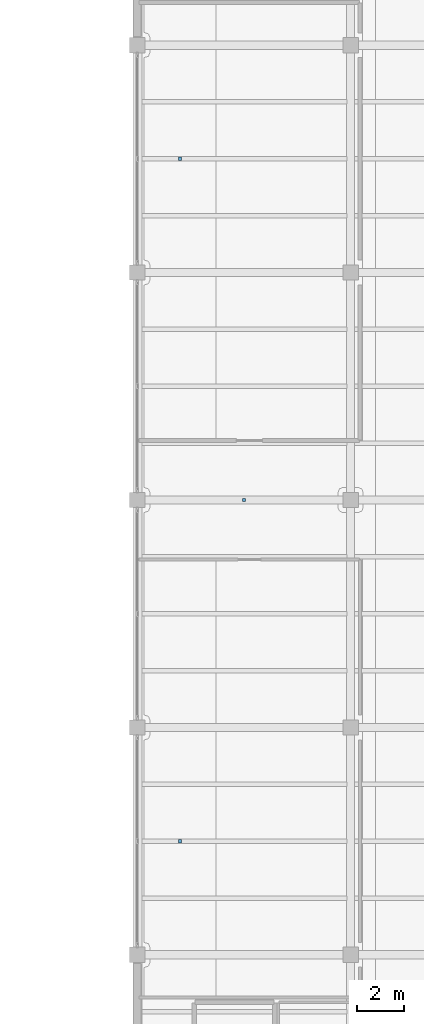
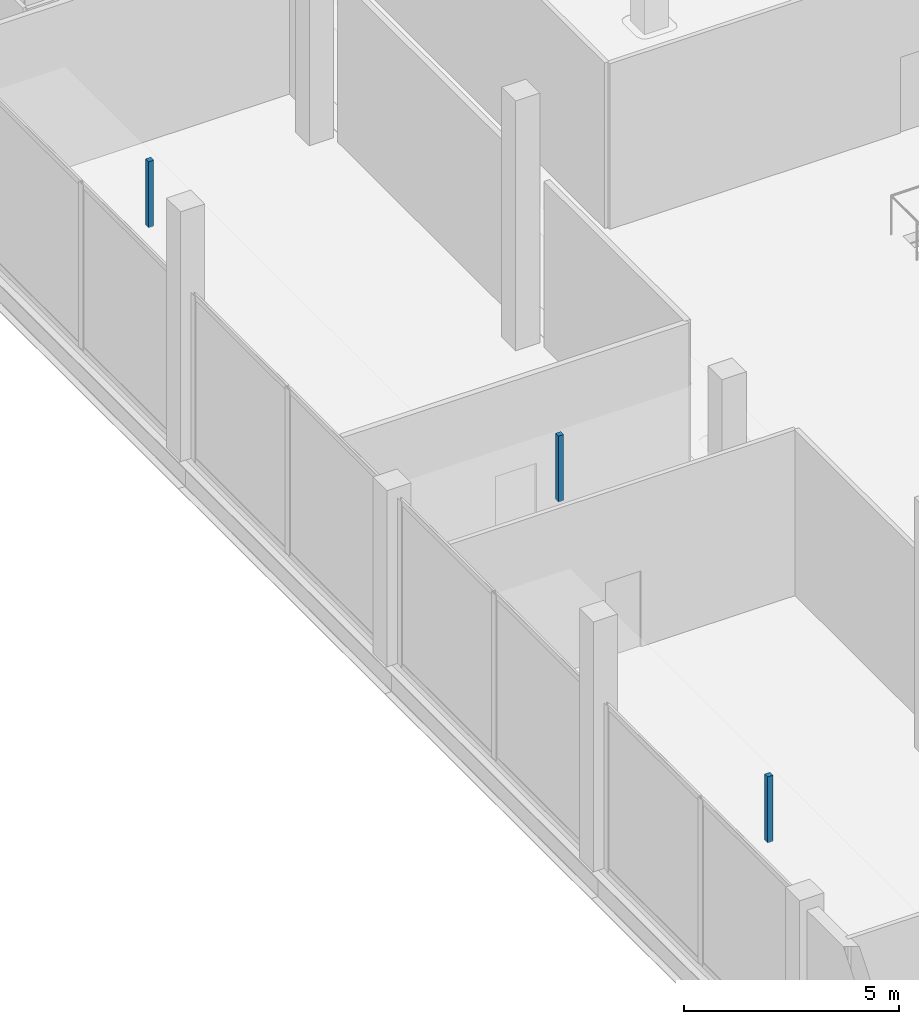
# One storey, part 36 of 43: 3 discrete accessories.
"""IFC4 building model written with IfcOpenShell, lengths in metres."""

from ifc_helpers import new_model, si_unit, direction, frame, origin, origin_2d, place, context, subcontext, project, spatial, rectangle, extrude, material, type_object, element, save


model = new_model("IFC4")

# Units and contexts
model_context = context("Model", 3, precision=1e-05, world=origin(), true_north=direction((0.0, 1.0)))
body_context = subcontext(model_context, "Body", "Model", "MODEL_VIEW")
ifc_project = project(units=[si_unit("LENGTHUNIT", "METRE"), si_unit("AREAUNIT", "SQUARE_METRE"), si_unit("VOLUMEUNIT", "CUBIC_METRE"), si_unit("PLANEANGLEUNIT", "RADIAN"), si_unit("MASSUNIT", "GRAM", prefix="KILO")], contexts=[model_context])

# Site, building, storey
site_placement = place(None, origin())
site = spatial("IfcSite", under=ifc_project, at=site_placement, CompositionType="ELEMENT")
building_placement = place(site_placement, origin())
building = spatial("IfcBuilding", under=site, at=building_placement, Name="Qorvath Tower", CompositionType="ELEMENT")
storey_placement = place(building_placement, frame((0.0, 0.0, 22.0)))
storey = spatial("IfcBuildingStorey", under=building, at=storey_placement, Name="L04", CompositionType="ELEMENT", Elevation=22.0)

# Discrete accessories
ifc_material = material(Name="Galvanised steel bracket", Category="steel")
discrete_accessory_type = type_object("IfcDiscreteAccessoryType", Name="DA-BRACKET", PredefinedType="BRACKET", material=ifc_material)
for number, where, z_axis, x_axis, name in (
    (1, (36.89990234375, 0.0, 2.8603515625), (0.0, 0.0, 1.0), (1.0, 0.0, 0.0), "Acoustic Ceiling Suspension Hanger LB-L04-005"),
    (2, (34.203369140625, 14.39990234375, 2.8603515625), (0.0, 0.0, 1.0), (1.0, 0.0, 0.0), "Acoustic Ceiling Suspension Hanger LB-L04-009"),
    (3, (34.203369140625, -14.39990234375, 2.8603515625), (0.0, 0.0, 1.0), (1.0, 0.0, 0.0), "Acoustic Ceiling Suspension Hanger LB-L04-010"),
):
    element("IfcDiscreteAccessory", number, at=place(storey_placement, frame(where, z_axis=z_axis, x_axis=x_axis)), inside=storey, type_object=discrete_accessory_type, Name=name, PredefinedType="NOTDEFINED", context=body_context, shape_type="SweptSolid", body=[
        extrude(rectangle(XDim=0.139892578125, YDim=0.139892578125, at=origin_2d()), origin(), (0.0, 0.0, 1.0), 1.869873046875),
    ])

save(model, "model.ifc")
